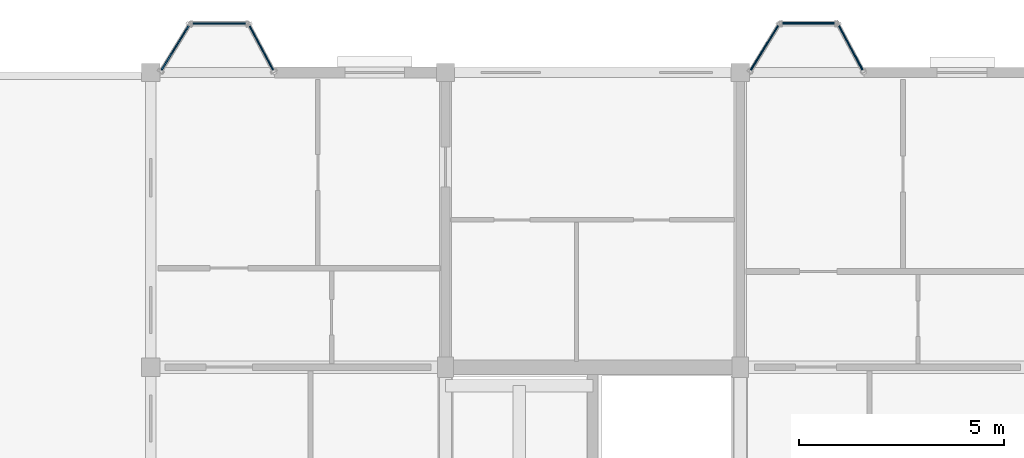
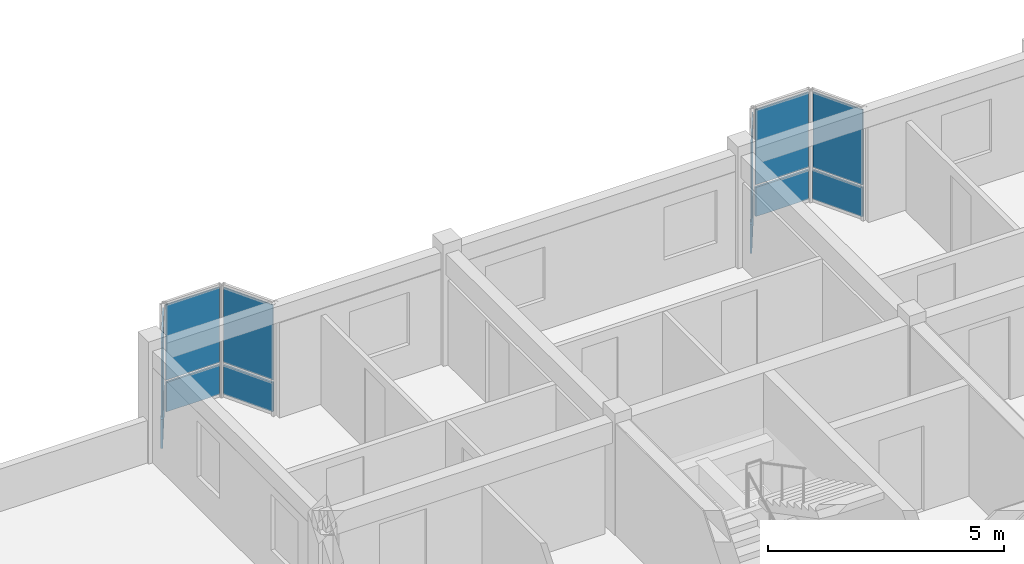
# One storey, part 24 of 40: 12 plates, 6 elements without a shape of their own.
"""IFC4 building model written with IfcOpenShell, lengths in metres."""

from ifc_helpers import new_model, si_unit, direction, frame, origin, origin_2d, place, context, subcontext, project, spatial, rectangle, extrude, material, layer, layer_set, type_object, element, aggregate, save


model = new_model("IFC4")

# Units and contexts
model_context = context("Model", 3, precision=1e-05, world=origin(), true_north=direction((0.0, 1.0)))
body_context = subcontext(model_context, "Body", "Model", "MODEL_VIEW")
ifc_project = project(units=[si_unit("LENGTHUNIT", "METRE"), si_unit("AREAUNIT", "SQUARE_METRE"), si_unit("VOLUMEUNIT", "CUBIC_METRE"), si_unit("PLANEANGLEUNIT", "RADIAN"), si_unit("MASSUNIT", "GRAM", prefix="KILO"), si_unit("THERMODYNAMICTEMPERATUREUNIT", "KELVIN"), si_unit("POWERUNIT", "WATT")], contexts=[model_context])

# Site, building, storey
site_placement = place(None, origin())
site = spatial("IfcSite", under=ifc_project, at=site_placement, CompositionType="ELEMENT")
building_placement = place(site_placement, origin())
building = spatial("IfcBuilding", under=site, at=building_placement, Name="Tavuni Mirador Residences", CompositionType="ELEMENT")
storey_placement = place(building_placement, frame((0.0, 0.0, 36.0)))
storey = spatial("IfcBuildingStorey", under=building, at=storey_placement, Name="L11", CompositionType="ELEMENT", Elevation=36.0)

# Curtain wall, plate
ifc_material_1 = material(Name="Anodised aluminium", Category="aluminium")
ifc_layer_1 = layer(ifc_material_1, 0.1650390625, Name="Anodised aluminium", Category="aluminium")
ifc_layer_set_1 = layer_set([ifc_layer_1], Name="Anodised aluminium")
curtain_wall_type_1 = type_object("IfcCurtainWallType", Name="CWT-MIR-A", PredefinedType="NOTDEFINED", material=ifc_layer_set_1)
curtain_wall_1_placement = place(storey_placement, origin())
curtain_wall_1 = element("IfcCurtainWall", 1, at=curtain_wall_1_placement, inside=storey, type_object=curtain_wall_type_1, Name="CW-MIR-C-N2-L11-M2", PredefinedType="NOTDEFINED")
ifc_material_2 = material(Name="Laminated solar-control glass", Category="glass")
ifc_layer_2 = layer(ifc_material_2, 0.02392578125, Name="Laminated solar-control glass", Category="glass")
ifc_layer_set_2 = layer_set([ifc_layer_2], Name="Laminated solar-control glass")
plate_type_1 = type_object("IfcPlateType", Name="CWP-GL24", PredefinedType="CURTAIN_PANEL", material=ifc_layer_set_2)
plate_1_placement = place(storey_placement, frame((32.992431640625, 173.39990234375, 0.8798828125), z_axis=(0.0, 0.0, 1.0), x_axis=(-0.522312079088, -0.852754414845, 0.0)))
plate_1 = element("IfcPlate", 2, at=plate_1_placement, type_object=plate_type_1, Name="CW-01 panel 1.2", PredefinedType="CURTAIN_PANEL", context=body_context, shape_type="SweptSolid", body=[
    extrude(rectangle(XDim=1.287109375, YDim=0.02392578125, at=origin_2d()), origin(), (0.0, 0.0, 1.0), 1.945068359375),
])

ifc_layer_3 = layer(ifc_material_1, 0.14990234375, Name="Anodised aluminium", Category="aluminium")
ifc_layer_set_3 = layer_set([ifc_layer_3], Name="Anodised aluminium")
curtain_wall_type_2 = type_object("IfcCurtainWallType", Name="CWT-MIR-B", PredefinedType="NOTDEFINED", material=ifc_layer_set_3)
curtain_wall_2_placement = place(storey_placement, origin())
curtain_wall_2 = element("IfcCurtainWall", 3, at=curtain_wall_2_placement, inside=storey, type_object=curtain_wall_type_2, Name="CW-MIR-C-N1-L11-M1", PredefinedType="NOTDEFINED")
ifc_layer_4 = layer(ifc_material_2, 0.028076171875, Name="Laminated solar-control glass", Category="glass")
ifc_layer_set_4 = layer_set([ifc_layer_4], Name="Laminated solar-control glass")
plate_type_2 = type_object("IfcPlateType", Name="CWP-GL28", PredefinedType="CURTAIN_PANEL", material=ifc_layer_set_4)
plate_2_placement = place(storey_placement, frame((20.699951171875, 173.39990234375, 0.882568359375), z_axis=(0.0, 0.0, 1.0), x_axis=(-0.470588235296, 0.882352941175, 0.0)))
plate_2 = element("IfcPlate", 4, at=plate_2_placement, type_object=plate_type_2, Name="CW-02 panel 1.2", PredefinedType="CURTAIN_PANEL", context=body_context, shape_type="SweptSolid", body=[
    extrude(rectangle(XDim=1.22998046875, YDim=0.028076171875, at=origin_2d()), origin(), (0.0, 0.0, 1.0), 1.9375),
])

ifc_layer_5 = layer(ifc_material_1, 0.175048828125, Name="Anodised aluminium", Category="aluminium")
ifc_layer_set_5 = layer_set([ifc_layer_5], Name="Anodised aluminium")
curtain_wall_type_3 = type_object("IfcCurtainWallType", Name="CWT-MIR-C", PredefinedType="NOTDEFINED", material=ifc_layer_set_5)
curtain_wall_3_placement = place(storey_placement, origin())
curtain_wall_3 = element("IfcCurtainWall", 5, at=curtain_wall_3_placement, inside=storey, type_object=curtain_wall_type_3, Name="CW-MIR-C-N2-L11-M1", PredefinedType="NOTDEFINED")
ifc_layer_6 = layer(ifc_material_2, 0.031982421875, Name="Laminated solar-control glass", Category="glass")
ifc_layer_set_6 = layer_set([ifc_layer_6], Name="Laminated solar-control glass")
plate_type_3 = type_object("IfcPlateType", Name="CWP-GL32", PredefinedType="CURTAIN_PANEL", material=ifc_layer_set_6)
plate_3_placement = place(storey_placement, frame((35.10009765625, 173.39990234375, 0.8798828125), z_axis=(0.0, 0.0, 1.0), x_axis=(-0.470588235296, 0.882352941175, 0.0)))
plate_3 = element("IfcPlate", 6, at=plate_3_placement, type_object=plate_type_3, Name="CW-03 panel 1.2", PredefinedType="CURTAIN_PANEL", context=body_context, shape_type="SweptSolid", body=[
    extrude(rectangle(XDim=1.239990234375, YDim=0.031982421875, at=origin_2d()), origin(), (0.0, 0.0, 1.0), 1.945068359375),
])

curtain_wall_4_placement = place(storey_placement, origin())
curtain_wall_4 = element("IfcCurtainWall", 7, at=curtain_wall_4_placement, inside=storey, type_object=curtain_wall_type_3, Name="CW-MIR-C-N1-L11-MF", PredefinedType="NOTDEFINED")
plate_4_placement = place(storey_placement, frame((19.669921875, 174.0, 0.8798828125), z_axis=(0.0, 0.0, 1.0), x_axis=(-1.0, 0.0, 0.0)))
plate_4 = element("IfcPlate", 8, at=plate_4_placement, type_object=plate_type_3, Name="CW-03 panel 1.2", PredefinedType="CURTAIN_PANEL", context=body_context, shape_type="SweptSolid", body=[
    extrude(rectangle(XDim=1.300048828125, YDim=0.031982421875, at=origin_2d()), origin(), (0.0, 0.0, 1.0), 1.945068359375),
])

ifc_layer_7 = layer(ifc_material_1, 0.159912109375, Name="Anodised aluminium", Category="aluminium")
ifc_layer_set_7 = layer_set([ifc_layer_7], Name="Anodised aluminium")
curtain_wall_type_4 = type_object("IfcCurtainWallType", Name="CWT-MIR-D", PredefinedType="NOTDEFINED", material=ifc_layer_set_7)
curtain_wall_5_placement = place(storey_placement, origin())
curtain_wall_5 = element("IfcCurtainWall", 9, at=curtain_wall_5_placement, inside=storey, type_object=curtain_wall_type_4, Name="CW-MIR-C-N2-L11-MF", PredefinedType="NOTDEFINED")
ifc_layer_8 = layer(ifc_material_2, 0.035888671875, Name="Laminated solar-control glass", Category="glass")
ifc_layer_set_8 = layer_set([ifc_layer_8], Name="Laminated solar-control glass")
plate_type_4 = type_object("IfcPlateType", Name="CWP-GL36", PredefinedType="CURTAIN_PANEL", material=ifc_layer_set_8)
plate_5_placement = place(storey_placement, frame((34.070068359375, 174.0, 0.882568359375), z_axis=(0.0, 0.0, 1.0), x_axis=(-1.0, 0.0, 0.0)))
plate_5 = element("IfcPlate", 10, at=plate_5_placement, type_object=plate_type_4, Name="CW-04 panel 1.2", PredefinedType="CURTAIN_PANEL", context=body_context, shape_type="SweptSolid", body=[
    extrude(rectangle(XDim=1.2900390625, YDim=0.035888671875, at=origin_2d()), origin(), (0.0, 0.0, 1.0), 1.9375),
])

curtain_wall_6_placement = place(storey_placement, origin())
curtain_wall_6 = element("IfcCurtainWall", 11, at=curtain_wall_6_placement, inside=storey, type_object=curtain_wall_type_4, Name="CW-MIR-C-N1-L11-M2", PredefinedType="NOTDEFINED")
plate_6_placement = place(storey_placement, frame((18.592529296875, 173.39990234375, 0.882568359375), z_axis=(0.0, 0.0, 1.0), x_axis=(-0.522312079088, -0.852754414845, 0.0)))
plate_6 = element("IfcPlate", 12, at=plate_6_placement, type_object=plate_type_4, Name="CW-04 panel 1.2", PredefinedType="CURTAIN_PANEL", context=body_context, shape_type="SweptSolid", body=[
    extrude(rectangle(XDim=1.277099609375, YDim=0.035888671875, at=origin_2d()), origin(), (0.0, 0.0, 1.0), 1.9375),
])

# Plate
ifc_material_3 = material(Name="Ceramic trencadis mosaic panel", Category="masonry")
ifc_layer_9 = layer(ifc_material_3, 0.0419921875, Name="Ceramic trencadis mosaic panel", Category="masonry")
ifc_layer_set_9 = layer_set([ifc_layer_9], Name="Ceramic trencadis mosaic panel")
plate_type_5 = type_object("IfcPlateType", Name="CWP-SP42", PredefinedType="CURTAIN_PANEL", material=ifc_layer_set_9)
plate_7_placement = place(storey_placement, frame((35.10009765625, 173.39990234375, 0.06005859375), z_axis=(0.0, 0.0, 1.0), x_axis=(-0.470588235296, 0.882352941175, 0.0)))
plate_7 = element("IfcPlate", 13, at=plate_7_placement, type_object=plate_type_5, Name="CW-03 panel 1.1", PredefinedType="CURTAIN_PANEL", context=body_context, shape_type="SweptSolid", body=[
    extrude(rectangle(XDim=1.239990234375, YDim=0.0419921875, at=origin_2d()), origin(), (0.0, 0.0, 1.0), 0.760009765625),
])

aggregate(curtain_wall_3, [plate_7, plate_3])

plate_8_placement = place(storey_placement, frame((32.992431640625, 173.39990234375, 0.06005859375), z_axis=(0.0, 0.0, 1.0), x_axis=(-0.522312079088, -0.852754414845, 0.0)))
plate_8 = element("IfcPlate", 14, at=plate_8_placement, type_object=plate_type_5, Name="CW-01 panel 1.1", PredefinedType="CURTAIN_PANEL", context=body_context, shape_type="SweptSolid", body=[
    extrude(rectangle(XDim=1.287109375, YDim=0.0419921875, at=origin_2d()), origin(), (0.0, 0.0, 1.0), 0.760009765625),
])

aggregate(curtain_wall_1, [plate_8, plate_1])

plate_9_placement = place(storey_placement, frame((19.669921875, 174.0, 0.06005859375), z_axis=(0.0, 0.0, 1.0), x_axis=(-1.0, 0.0, 0.0)))
plate_9 = element("IfcPlate", 15, at=plate_9_placement, type_object=plate_type_5, Name="CW-03 panel 1.1", PredefinedType="CURTAIN_PANEL", context=body_context, shape_type="SweptSolid", body=[
    extrude(rectangle(XDim=1.300048828125, YDim=0.0419921875, at=origin_2d()), origin(), (0.0, 0.0, 1.0), 0.760009765625),
])

aggregate(curtain_wall_4, [plate_9, plate_4])

ifc_layer_10 = layer(ifc_material_3, 0.048095703125, Name="Ceramic trencadis mosaic panel", Category="masonry")
ifc_layer_set_10 = layer_set([ifc_layer_10], Name="Ceramic trencadis mosaic panel")
plate_type_6 = type_object("IfcPlateType", Name="CWP-SP48", PredefinedType="CURTAIN_PANEL", material=ifc_layer_set_10)
plate_10_placement = place(storey_placement, frame((34.070068359375, 174.0, 0.06494140625), z_axis=(0.0, 0.0, 1.0), x_axis=(-1.0, 0.0, 0.0)))
plate_10 = element("IfcPlate", 16, at=plate_10_placement, type_object=plate_type_6, Name="CW-04 panel 1.1", PredefinedType="CURTAIN_PANEL", context=body_context, shape_type="SweptSolid", body=[
    extrude(rectangle(XDim=1.2900390625, YDim=0.048095703125, at=origin_2d()), origin(), (0.0, 0.0, 1.0), 0.75244140625),
])

aggregate(curtain_wall_5, [plate_10, plate_5])

plate_11_placement = place(storey_placement, frame((20.699951171875, 173.39990234375, 0.06494140625), z_axis=(0.0, 0.0, 1.0), x_axis=(-0.470588235296, 0.882352941175, 0.0)))
plate_11 = element("IfcPlate", 17, at=plate_11_placement, type_object=plate_type_6, Name="CW-02 panel 1.1", PredefinedType="CURTAIN_PANEL", context=body_context, shape_type="SweptSolid", body=[
    extrude(rectangle(XDim=1.22998046875, YDim=0.048095703125, at=origin_2d()), origin(), (0.0, 0.0, 1.0), 0.75244140625),
])

aggregate(curtain_wall_2, [plate_11, plate_2])

plate_12_placement = place(storey_placement, frame((18.592529296875, 173.39990234375, 0.06494140625), z_axis=(0.0, 0.0, 1.0), x_axis=(-0.522312079088, -0.852754414845, 0.0)))
plate_12 = element("IfcPlate", 18, at=plate_12_placement, type_object=plate_type_6, Name="CW-04 panel 1.1", PredefinedType="CURTAIN_PANEL", context=body_context, shape_type="SweptSolid", body=[
    extrude(rectangle(XDim=1.277099609375, YDim=0.048095703125, at=origin_2d()), origin(), (0.0, 0.0, 1.0), 0.75244140625),
])

aggregate(curtain_wall_6, [plate_12, plate_6])

save(model, "model.ifc")
